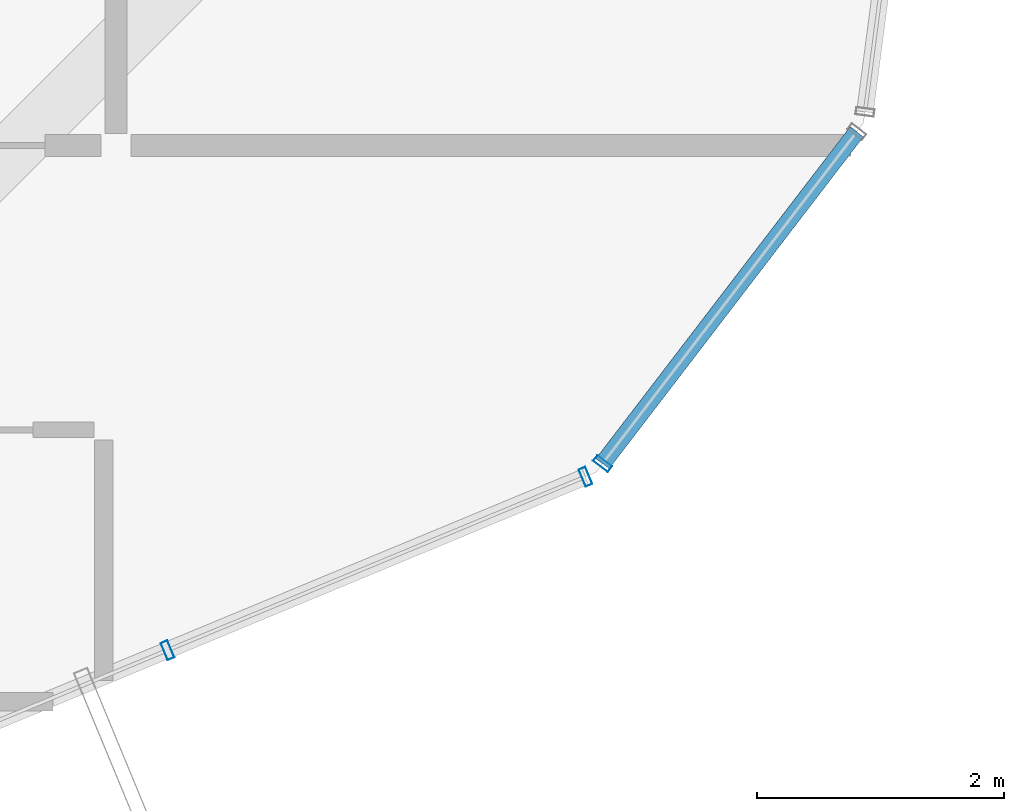
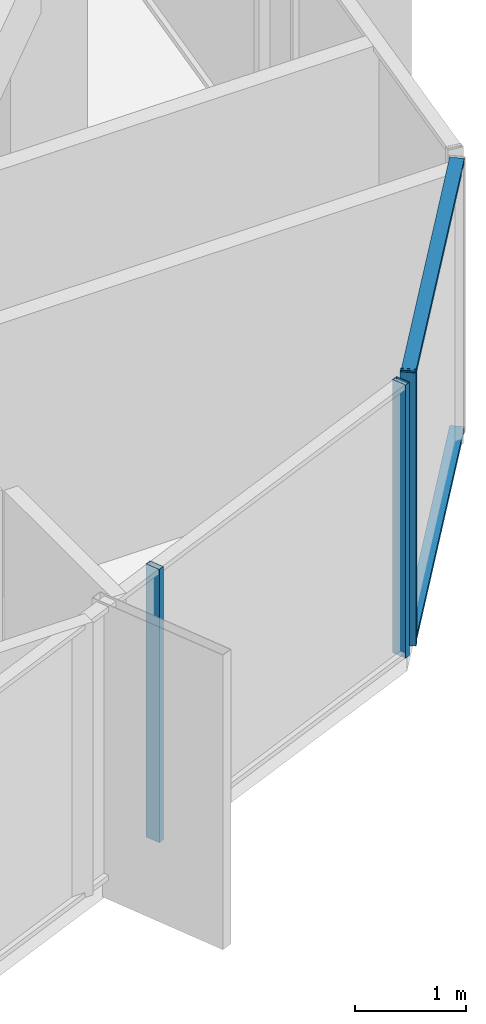
# One storey, part 10 of 31: 5 members, 2 elements without a shape of their own.
"""IFC4 building model written with IfcOpenShell, lengths in metres."""

from ifc_helpers import new_model, si_unit, direction, frame, origin, origin_2d, place, context, subcontext, project, spatial, hollow_rectangle, extrude, source, transform, mapped, material, layer, layer_set, material_profile, profile_set, type_object, element, aggregate, save


model = new_model("IFC4")

# Units and contexts
model_context = context("Model", 3, precision=1e-05, world=origin(), true_north=direction((0.0, 1.0)))
body_context = subcontext(model_context, "Body", "Model", "MODEL_VIEW")
ifc_project = project(units=[si_unit("LENGTHUNIT", "METRE"), si_unit("AREAUNIT", "SQUARE_METRE"), si_unit("VOLUMEUNIT", "CUBIC_METRE"), si_unit("PLANEANGLEUNIT", "RADIAN"), si_unit("MASSUNIT", "GRAM", prefix="KILO")], contexts=[model_context])

# Site, building, storey
site_placement = place(None, origin())
site = spatial("IfcSite", under=ifc_project, at=site_placement, CompositionType="ELEMENT")
building_placement = place(site_placement, origin())
building = spatial("IfcBuilding", under=site, at=building_placement, Name="Veraguas Prism Commons", CompositionType="ELEMENT")
storey_placement = place(building_placement, frame((0.0, 0.0, 233.300048828125)))
storey = spatial("IfcBuildingStorey", under=building, at=storey_placement, Name="L66", CompositionType="ELEMENT", Elevation=233.300048828125)

# Curtain wall, members
ifc_material = material(Name="Anodised aluminium EN AW-6063 T6", Category="aluminium")
ifc_layer = layer(ifc_material, 0.14990234375, Name="Unitised Flush Curtain Wall Zone 4", Category="aluminium")
ifc_layer_set = layer_set([ifc_layer], Name="Anodised aluminium EN AW-6063 T6")
curtain_wall_type = type_object("IfcCurtainWallType", Name="Unitised Flush Curtain Wall Zone 4", PredefinedType="NOTDEFINED", material=ifc_layer_set)
curtain_wall_1_placement = place(storey_placement, origin())
curtain_wall_1 = element("IfcCurtainWall", 1, at=curtain_wall_1_placement, inside=storey, type_object=curtain_wall_type, Name="Tower Facade Curtain Wall L66-F5", PredefinedType="NOTDEFINED")
ifc_material_profile_1 = material_profile(ifc_material, hollow_rectangle(XDim=0.06005859375, YDim=0.14990234375, WallThickness=0.0029296875, at=origin_2d()), Name="AL60X150X3")
ifc_profile_set_1 = profile_set([ifc_material_profile_1], Name="Anodised aluminium EN AW-6063 T6")
member_type_1 = type_object("IfcMemberType", Name="Curtain Wall Mullion Upper AL 60x150x3", PredefinedType="MULLION", material=ifc_profile_set_1)
shared_shape_1 = source(origin(), body_context, "Body", "SweptSolid", [
    extrude(hollow_rectangle(XDim=0.06005859375, YDim=0.14990234375, WallThickness=0.0029296875, at=origin_2d()), origin(), (0.0, 0.0, 1.0), 3.014892578125),
])
member_1_placement = place(storey_placement, frame((33.717041015625, 10.217529296875, 0.0), z_axis=(0.0, 0.0, 1.0), x_axis=(0.923614820068, 0.383321880606, 0.0)))
member_1 = element("IfcMember", 2, at=member_1_placement, type_object=member_type_1, Name="CW-Z4 Mullion 4", PredefinedType="MULLION", context=body_context, shape_type="MappedRepresentation", body=[
    mapped(shared_shape_1, transform((0.0, 0.0, 0.0), scale=1.0)),
])
member_2_placement = place(storey_placement, frame((37.098876953125, 11.62109375, 0.0), z_axis=(0.0, 0.0, 1.0), x_axis=(0.923614820068, 0.383321880606, 0.0)))
member_2 = element("IfcMember", 3, at=member_2_placement, type_object=member_type_1, Name="CW-Z4 Mullion 5", PredefinedType="MULLION", context=body_context, shape_type="MappedRepresentation", body=[
    mapped(shared_shape_1, transform((0.0, 0.0, 0.0), scale=1.0)),
])
aggregate(curtain_wall_1, [member_1, member_2])

curtain_wall_2_placement = place(storey_placement, origin())
curtain_wall_2 = element("IfcCurtainWall", 4, at=curtain_wall_2_placement, inside=storey, type_object=curtain_wall_type, Name="Chamfer Curtain Wall L66-C6", PredefinedType="NOTDEFINED")
member_3_placement = place(storey_placement, frame((37.23681640625, 11.72705078125, 0.0), z_axis=(0.0, 0.0, 1.0), x_axis=(0.608181092571, 0.793798311058, 0.0)))
member_3 = element("IfcMember", 5, at=member_3_placement, type_object=member_type_1, Name="CW-Z4 Mullion 1", PredefinedType="MULLION", context=body_context, shape_type="MappedRepresentation", body=[
    mapped(shared_shape_1, transform((0.0, 0.0, 0.0), scale=1.0)),
])
ifc_material_profile_2 = material_profile(ifc_material, hollow_rectangle(XDim=0.054931640625, YDim=0.135009765625, WallThickness=0.0029296875, at=origin_2d()), Name="AL55X135X3")
ifc_profile_set_2 = profile_set([ifc_material_profile_2], Name="Anodised aluminium EN AW-6063 T6")
member_type_2 = type_object("IfcMemberType", Name="Curtain Wall Transom Standard AL 55x135x3", PredefinedType="USERDEFINED", material=ifc_profile_set_2)
shared_shape_2 = source(origin(), body_context, "Body", "SweptSolid", [
    extrude(hollow_rectangle(XDim=0.054931640625, YDim=0.135009765625, WallThickness=0.0029296875, at=origin_2d()), origin(), (0.0, 0.0, 1.0), 3.382568359375),
])
member_4_placement = place(storey_placement, frame((37.23681640625, 11.72705078125, 0.02734375), z_axis=(0.608167852489, 0.793808454981, 0.0), x_axis=(0.0, 0.0, 1.0)))
member_4 = element("IfcMember", 6, at=member_4_placement, type_object=member_type_2, Name="CW-Z4 Transom 1", ObjectType="TRANSOM", PredefinedType="USERDEFINED", context=body_context, shape_type="MappedRepresentation", body=[
    mapped(shared_shape_2, transform((0.0, 0.0, 0.0), scale=1.0)),
])
member_5_placement = place(storey_placement, frame((37.23681640625, 11.72705078125, 2.987548828125), z_axis=(0.608167852489, 0.793808454981, 0.0), x_axis=(0.0, 0.0, 1.0)))
member_5 = element("IfcMember", 7, at=member_5_placement, type_object=member_type_2, Name="CW-Z4 Transom 2", ObjectType="TRANSOM", PredefinedType="USERDEFINED", context=body_context, shape_type="MappedRepresentation", body=[
    mapped(shared_shape_2, transform((0.0, 0.0, 0.0), scale=1.0)),
])
aggregate(curtain_wall_2, [member_3, member_4, member_5])

save(model, "model.ifc")
